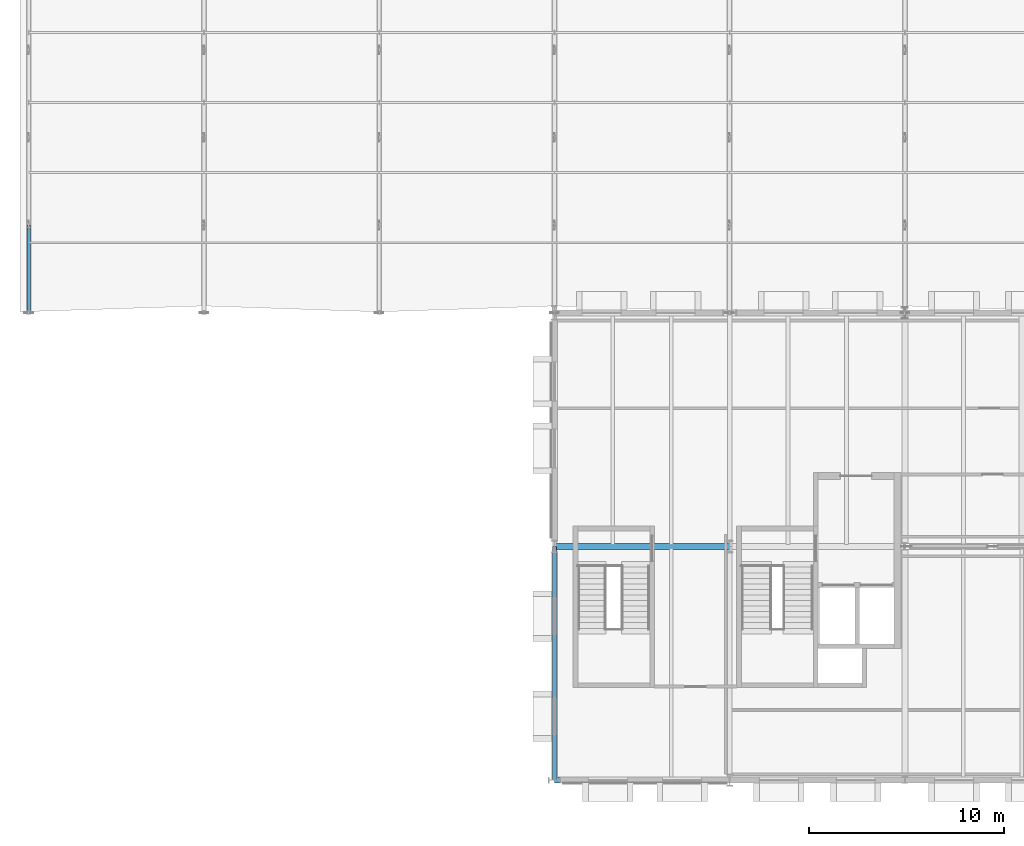
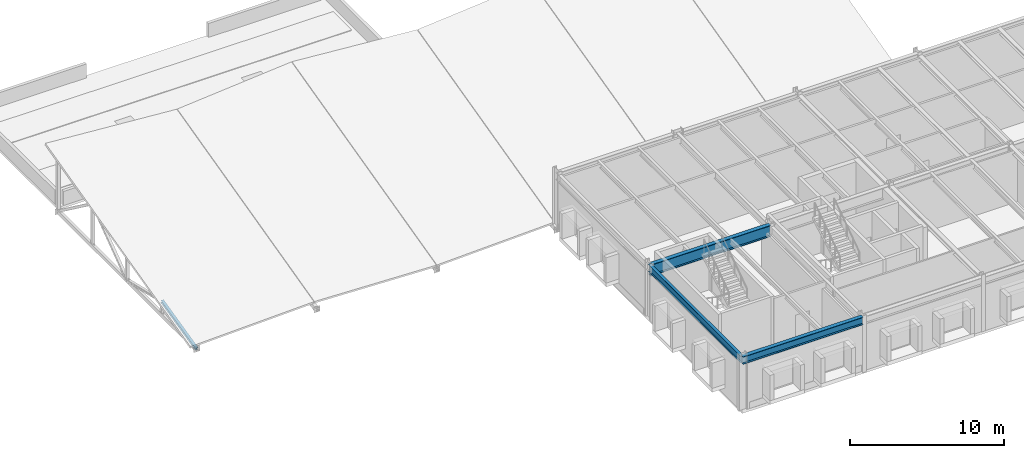
# One storey, part 9 of 67: 3 beams, 1 member.
"""IFC4 building model written with IfcOpenShell, lengths in metres."""

from ifc_helpers import new_model, si_unit, direction, frame, origin, origin_2d, place, context, subcontext, project, spatial, i_section, extrude, material, material_profile, profile_set, type_object, element, save


model = new_model("IFC4")

# Units and contexts
model_context = context("Model", 3, precision=1e-05, world=origin(), true_north=direction((0.0, 1.0)))
body_context = subcontext(model_context, "Body", "Model", "MODEL_VIEW")
ifc_project = project(units=[si_unit("LENGTHUNIT", "METRE"), si_unit("AREAUNIT", "SQUARE_METRE"), si_unit("VOLUMEUNIT", "CUBIC_METRE"), si_unit("PLANEANGLEUNIT", "RADIAN"), si_unit("MASSUNIT", "GRAM", prefix="KILO")], contexts=[model_context])

# Site, building, storey
site_placement = place(None, origin())
site = spatial("IfcSite", under=ifc_project, at=site_placement, CompositionType="ELEMENT")
building_placement = place(site_placement, origin())
building = spatial("IfcBuilding", under=site, at=building_placement, Name="Montelvaro Courts of Justice", CompositionType="ELEMENT")
storey_placement = place(building_placement, frame((0.0, 0.0, 18.89990234375)))
storey = spatial("IfcBuildingStorey", under=building, at=storey_placement, Name="L04", CompositionType="ELEMENT", Elevation=18.89990234375)

# Beams
ifc_material = material(Name="Steel S355", Category="steel")
ifc_material_profile_1 = material_profile(ifc_material, i_section(OverallWidth=0.300048828125, OverallDepth=0.60009765625, WebThickness=0.015380859375, FlangeThickness=0.030029296875, at=origin_2d()), Name="HEB 600")
ifc_profile_set_1 = profile_set([ifc_material_profile_1], Name="Steel S355")
beam_type_1 = type_object("IfcBeamType", Name="Beam_HEB600", PredefinedType="USERDEFINED", material=ifc_profile_set_1)
beam_1_placement = place(storey_placement, frame((45.0, 0.0, 3.960205078125), z_axis=(1.0, 0.0, 0.0), x_axis=(0.0, 1.0, 0.0)))
element("IfcBeam", 1, at=beam_1_placement, inside=storey, type_object=beam_type_1, Name="Beam B-26 L04", ObjectType="GIRDER", PredefinedType="USERDEFINED", context=body_context, shape_type="SweptSolid", body=[
    extrude(i_section(OverallWidth=0.300048828125, OverallDepth=0.60009765625, WebThickness=0.015380859375, FlangeThickness=0.030029296875, at=origin_2d()), origin(), (0.0, 0.0, 1.0), 9.0),
])
ifc_material_profile_2 = material_profile(ifc_material, i_section(OverallWidth=0.300048828125, OverallDepth=0.89990234375, WebThickness=0.0185546875, FlangeThickness=0.034912109375, at=origin_2d()), Name="HEB 900")
ifc_profile_set_2 = profile_set([ifc_material_profile_2], Name="Steel S355")
beam_type_2 = type_object("IfcBeamType", Name="Beam_HEB900", PredefinedType="USERDEFINED", material=ifc_profile_set_2)
beam_2_placement = place(storey_placement, frame((45.0, 12.0, 3.81005859375), z_axis=(1.0, 0.0, 0.0), x_axis=(0.0, 1.0, 0.0)))
element("IfcBeam", 2, at=beam_2_placement, inside=storey, type_object=beam_type_2, Name="Beam B-30 L04", ObjectType="GIRDER", PredefinedType="USERDEFINED", context=body_context, shape_type="SweptSolid", body=[
    extrude(i_section(OverallWidth=0.300048828125, OverallDepth=0.89990234375, WebThickness=0.0185546875, FlangeThickness=0.034912109375, at=origin_2d()), origin(), (0.0, 0.0, 1.0), 9.0),
])
ifc_material_profile_3 = material_profile(ifc_material, i_section(OverallWidth=0.2099609375, OverallDepth=0.550048828125, WebThickness=0.010986328125, FlangeThickness=0.01708984375, at=origin_2d()), Name="IPE 550")
ifc_profile_set_3 = profile_set([ifc_material_profile_3], Name="Steel S355")
beam_type_3 = type_object("IfcBeamType", Name="Beam_IPE550", PredefinedType="BEAM", material=ifc_profile_set_3)
beam_3_placement = place(storey_placement, frame((45.0, 0.0, 3.985107421875), z_axis=(0.0, 1.0, 0.0), x_axis=(-1.0, 0.0, 0.0)))
element("IfcBeam", 3, at=beam_3_placement, inside=storey, type_object=beam_type_3, Name="Beam B-11 L04", PredefinedType="BEAM", context=body_context, shape_type="SweptSolid", body=[
    extrude(i_section(OverallWidth=0.2099609375, OverallDepth=0.550048828125, WebThickness=0.010986328125, FlangeThickness=0.01708984375, at=origin_2d()), origin(), (0.0, 0.0, 1.0), 12.0),
])

# Member
ifc_material_profile_4 = material_profile(ifc_material, i_section(OverallWidth=0.199951171875, OverallDepth=0.18994140625, WebThickness=0.006591796875, FlangeThickness=0.010009765625, at=origin_2d()), Name="HEA 200")
ifc_profile_set_4 = profile_set([ifc_material_profile_4], Name="Steel S355")
member_type = type_object("IfcMemberType", Name="Mem_HEA200_Brace", PredefinedType="BRACE", material=ifc_profile_set_4)
member_placement = place(storey_placement, frame((18.0, 24.0, -0.2998046875), z_axis=(0.0, 0.97263439265, 0.232340995597), x_axis=(-1.0, 0.0, 0.0)))
element("IfcMember", 4, at=member_placement, inside=storey, type_object=member_type, Name="Roof Truss Web MB-02 ROOF-V3-VTR01-W1", PredefinedType="BRACE", context=body_context, shape_type="SweptSolid", body=[
    extrude(i_section(OverallWidth=0.199951171875, OverallDepth=0.18994140625, WebThickness=0.006591796875, FlangeThickness=0.010009765625, at=origin_2d()), origin(), (0.0, 0.0, 1.0), 4.626708984375),
])

save(model, "model.ifc")
